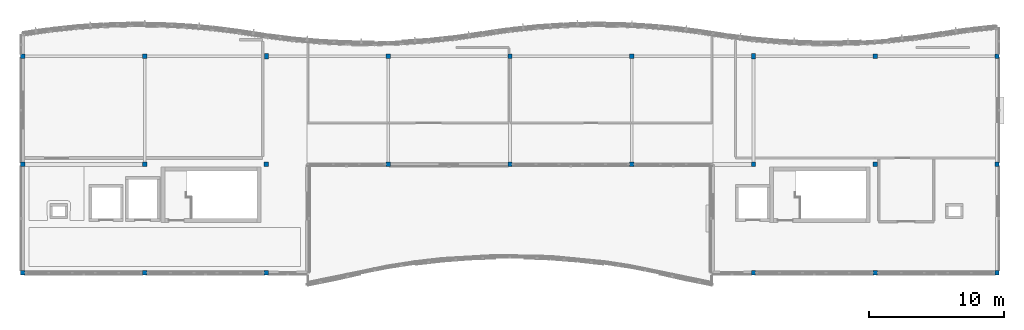
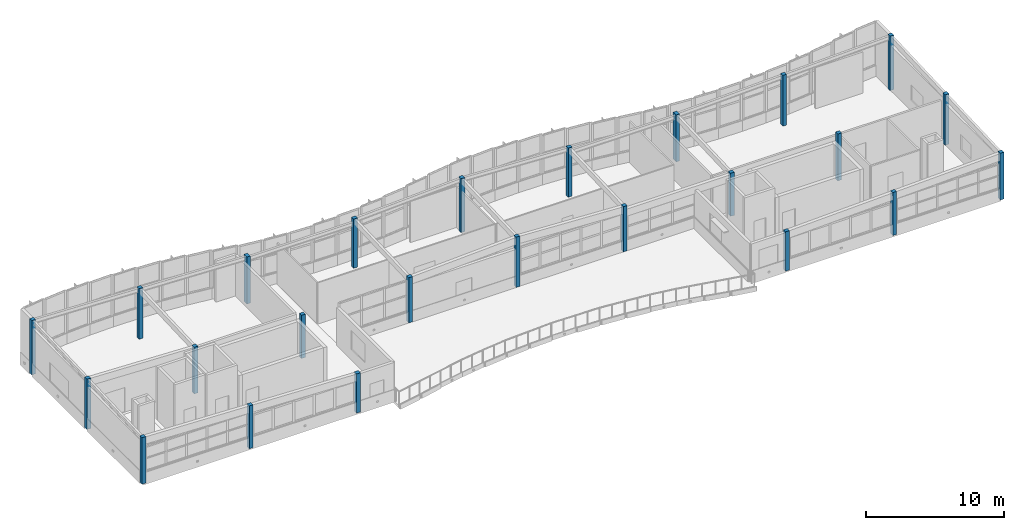
# One storey, part 1 of 20: 24 columns.
"""IFC4 building model written with IfcOpenShell, lengths in metres."""

from ifc_helpers import new_model, si_unit, direction, frame, origin, origin_2d, place, context, subcontext, project, spatial, rectangle, extrude, material, material_profile, profile_set, type_object, element, save


model = new_model("IFC4")

# Units and contexts
model_context = context("Model", 3, precision=1e-05, world=origin(), true_north=direction((0.0, 1.0)))
body_context = subcontext(model_context, "Body", "Model", "MODEL_VIEW")
ifc_project = project(units=[si_unit("LENGTHUNIT", "METRE"), si_unit("AREAUNIT", "SQUARE_METRE"), si_unit("VOLUMEUNIT", "CUBIC_METRE"), si_unit("PLANEANGLEUNIT", "RADIAN"), si_unit("MASSUNIT", "GRAM", prefix="KILO")], contexts=[model_context])

# Site, building, storey
site_placement = place(None, origin())
site = spatial("IfcSite", under=ifc_project, at=site_placement, CompositionType="ELEMENT")
building_placement = place(site_placement, origin())
building = spatial("IfcBuilding", under=site, at=building_placement, Name="Tonlespit Floodbar School", CompositionType="ELEMENT")
storey_placement = place(building_placement, frame((0.0, 0.0, 20.10009765625)))
storey = spatial("IfcBuildingStorey", under=building, at=storey_placement, Name="L05", CompositionType="ELEMENT", Elevation=20.10009765625)

# Columns
ifc_material = material(Name="Glulam GL28h", Category="wood")
ifc_material_profile_1 = material_profile(ifc_material, rectangle(XDim=0.320068359375, YDim=0.320068359375, at=origin_2d()), Name="GL 320x320")
ifc_profile_set_1 = profile_set([ifc_material_profile_1], Name="Glulam GL28h")
column_type_1 = type_object("IfcColumnType", Name="Column_GL_320x320", PredefinedType="COLUMN", material=ifc_profile_set_1)
column_1_placement = place(storey_placement, frame((44.0, 104.0, 0.0), z_axis=(0.0, 0.0, 1.0), x_axis=(1.0, 0.0, 0.0)))
element("IfcColumn", 1, at=column_1_placement, inside=storey, type_object=column_type_1, Name="L05 column U06/V15", PredefinedType="COLUMN", context=body_context, shape_type="SweptSolid", body=[
    extrude(rectangle(XDim=0.320068359375, YDim=0.320068359375, at=origin_2d()), origin(), (0.0, 0.0, 1.0), 4.122802734375),
])
column_2_placement = place(storey_placement, frame((44.0, 112.0, 0.0), z_axis=(0.0, 0.0, 1.0), x_axis=(1.0, 0.0, 0.0)))
element("IfcColumn", 2, at=column_2_placement, inside=storey, type_object=column_type_1, Name="L05 column U06/V16", PredefinedType="COLUMN", context=body_context, shape_type="SweptSolid", body=[
    extrude(rectangle(XDim=0.320068359375, YDim=0.320068359375, at=origin_2d()), origin(), (0.0, 0.0, 1.0), 4.468017578125),
])
column_3_placement = place(storey_placement, frame((44.0, 120.0, 0.0), z_axis=(0.0, 0.0, 1.0), x_axis=(1.0, 0.0, 0.0)))
element("IfcColumn", 3, at=column_3_placement, inside=storey, type_object=column_type_1, Name="L05 column U06/V17", PredefinedType="COLUMN", context=body_context, shape_type="SweptSolid", body=[
    extrude(rectangle(XDim=0.320068359375, YDim=0.320068359375, at=origin_2d()), origin(), (0.0, 0.0, 1.0), 4.8134765625),
])
column_4_placement = place(storey_placement, frame((53.0, 104.0, 0.0), z_axis=(0.0, 0.0, 1.0), x_axis=(1.0, 0.0, 0.0)))
element("IfcColumn", 4, at=column_4_placement, inside=storey, type_object=column_type_1, Name="L05 column U07/V15", PredefinedType="COLUMN", context=body_context, shape_type="SweptSolid", body=[
    extrude(rectangle(XDim=0.320068359375, YDim=0.320068359375, at=origin_2d()), origin(), (0.0, 0.0, 1.0), 3.80078125),
])
column_5_placement = place(storey_placement, frame((53.0, 112.0, 0.0), z_axis=(0.0, 0.0, 1.0), x_axis=(1.0, 0.0, 0.0)))
element("IfcColumn", 5, at=column_5_placement, inside=storey, type_object=column_type_1, Name="L05 column U07/V16", PredefinedType="COLUMN", context=body_context, shape_type="SweptSolid", body=[
    extrude(rectangle(XDim=0.320068359375, YDim=0.320068359375, at=origin_2d()), origin(), (0.0, 0.0, 1.0), 4.14599609375),
])
column_6_placement = place(storey_placement, frame((53.0, 120.0, 0.0), z_axis=(0.0, 0.0, 1.0), x_axis=(1.0, 0.0, 0.0)))
element("IfcColumn", 6, at=column_6_placement, inside=storey, type_object=column_type_1, Name="L05 column U07/V17", PredefinedType="COLUMN", context=body_context, shape_type="SweptSolid", body=[
    extrude(rectangle(XDim=0.320068359375, YDim=0.320068359375, at=origin_2d()), origin(), (0.0, 0.0, 1.0), 4.491455078125),
])
column_7_placement = place(storey_placement, frame((62.0, 104.0, 0.0), z_axis=(0.0, 0.0, 1.0), x_axis=(1.0, 0.0, 0.0)))
element("IfcColumn", 7, at=column_7_placement, inside=storey, type_object=column_type_1, Name="L05 column U08/V15", PredefinedType="COLUMN", context=body_context, shape_type="SweptSolid", body=[
    extrude(rectangle(XDim=0.320068359375, YDim=0.320068359375, at=origin_2d()), origin(), (0.0, 0.0, 1.0), 3.478759765625),
])
column_8_placement = place(storey_placement, frame((62.0, 112.0, 0.0), z_axis=(0.0, 0.0, 1.0), x_axis=(1.0, 0.0, 0.0)))
element("IfcColumn", 8, at=column_8_placement, inside=storey, type_object=column_type_1, Name="L05 column U08/V16", PredefinedType="COLUMN", context=body_context, shape_type="SweptSolid", body=[
    extrude(rectangle(XDim=0.320068359375, YDim=0.320068359375, at=origin_2d()), origin(), (0.0, 0.0, 1.0), 3.82421875),
])
column_9_placement = place(storey_placement, frame((71.0, 112.0, 0.0), z_axis=(0.0, 0.0, 1.0), x_axis=(1.0, 0.0, 0.0)))
element("IfcColumn", 9, at=column_9_placement, inside=storey, type_object=column_type_1, Name="L05 column U09/V16", PredefinedType="COLUMN", context=body_context, shape_type="SweptSolid", body=[
    extrude(rectangle(XDim=0.320068359375, YDim=0.320068359375, at=origin_2d()), origin(), (0.0, 0.0, 1.0), 4.0126953125),
])
column_10_placement = place(storey_placement, frame((71.0, 120.0, 0.0), z_axis=(0.0, 0.0, 1.0), x_axis=(1.0, 0.0, 0.0)))
element("IfcColumn", 10, at=column_10_placement, inside=storey, type_object=column_type_1, Name="L05 column U09/V17", PredefinedType="COLUMN", context=body_context, shape_type="SweptSolid", body=[
    extrude(rectangle(XDim=0.320068359375, YDim=0.320068359375, at=origin_2d()), origin(), (0.0, 0.0, 1.0), 4.35791015625),
])
column_11_placement = place(storey_placement, frame((80.0, 112.0, 0.0), z_axis=(0.0, 0.0, 1.0), x_axis=(1.0, 0.0, 0.0)))
element("IfcColumn", 11, at=column_11_placement, inside=storey, type_object=column_type_1, Name="L05 column U10/V16", PredefinedType="COLUMN", context=body_context, shape_type="SweptSolid", body=[
    extrude(rectangle(XDim=0.320068359375, YDim=0.320068359375, at=origin_2d()), origin(), (0.0, 0.0, 1.0), 4.456787109375),
])
column_12_placement = place(storey_placement, frame((80.0, 120.0, 0.0), z_axis=(0.0, 0.0, 1.0), x_axis=(1.0, 0.0, 0.0)))
element("IfcColumn", 12, at=column_12_placement, inside=storey, type_object=column_type_1, Name="L05 column U10/V17", PredefinedType="COLUMN", context=body_context, shape_type="SweptSolid", body=[
    extrude(rectangle(XDim=0.320068359375, YDim=0.320068359375, at=origin_2d()), origin(), (0.0, 0.0, 1.0), 4.802001953125),
])
column_13_placement = place(storey_placement, frame((89.0, 112.0, 0.0), z_axis=(0.0, 0.0, 1.0), x_axis=(1.0, 0.0, 0.0)))
element("IfcColumn", 13, at=column_13_placement, inside=storey, type_object=column_type_1, Name="L05 column U11/V16", PredefinedType="COLUMN", context=body_context, shape_type="SweptSolid", body=[
    extrude(rectangle(XDim=0.320068359375, YDim=0.320068359375, at=origin_2d()), origin(), (0.0, 0.0, 1.0), 4.0126953125),
])
column_14_placement = place(storey_placement, frame((89.0, 120.0, 0.0), z_axis=(0.0, 0.0, 1.0), x_axis=(1.0, 0.0, 0.0)))
element("IfcColumn", 14, at=column_14_placement, inside=storey, type_object=column_type_1, Name="L05 column U11/V17", PredefinedType="COLUMN", context=body_context, shape_type="SweptSolid", body=[
    extrude(rectangle(XDim=0.320068359375, YDim=0.320068359375, at=origin_2d()), origin(), (0.0, 0.0, 1.0), 4.35791015625),
])
column_15_placement = place(storey_placement, frame((98.0, 104.0, 0.0), z_axis=(0.0, 0.0, 1.0), x_axis=(1.0, 0.0, 0.0)))
element("IfcColumn", 15, at=column_15_placement, inside=storey, type_object=column_type_1, Name="L05 column U12/V15", PredefinedType="COLUMN", context=body_context, shape_type="SweptSolid", body=[
    extrude(rectangle(XDim=0.320068359375, YDim=0.320068359375, at=origin_2d()), origin(), (0.0, 0.0, 1.0), 3.481689453125),
])
column_16_placement = place(storey_placement, frame((98.0, 112.0, 0.0), z_axis=(0.0, 0.0, 1.0), x_axis=(1.0, 0.0, 0.0)))
element("IfcColumn", 16, at=column_16_placement, inside=storey, type_object=column_type_1, Name="L05 column U12/V16", PredefinedType="COLUMN", context=body_context, shape_type="SweptSolid", body=[
    extrude(rectangle(XDim=0.320068359375, YDim=0.320068359375, at=origin_2d()), origin(), (0.0, 0.0, 1.0), 3.826904296875),
])
column_17_placement = place(storey_placement, frame((107.0, 104.0, 0.0), z_axis=(0.0, 0.0, 1.0), x_axis=(1.0, 0.0, 0.0)))
element("IfcColumn", 17, at=column_17_placement, inside=storey, type_object=column_type_1, Name="L05 column U13/V15", PredefinedType="COLUMN", context=body_context, shape_type="SweptSolid", body=[
    extrude(rectangle(XDim=0.320068359375, YDim=0.320068359375, at=origin_2d()), origin(), (0.0, 0.0, 1.0), 3.81201171875),
])
column_18_placement = place(storey_placement, frame((107.0, 112.0, 0.0), z_axis=(0.0, 0.0, 1.0), x_axis=(1.0, 0.0, 0.0)))
element("IfcColumn", 18, at=column_18_placement, inside=storey, type_object=column_type_1, Name="L05 column U13/V16", PredefinedType="COLUMN", context=body_context, shape_type="SweptSolid", body=[
    extrude(rectangle(XDim=0.320068359375, YDim=0.320068359375, at=origin_2d()), origin(), (0.0, 0.0, 1.0), 4.156982421875),
])
column_19_placement = place(storey_placement, frame((107.0, 120.0, 0.0), z_axis=(0.0, 0.0, 1.0), x_axis=(1.0, 0.0, 0.0)))
element("IfcColumn", 19, at=column_19_placement, inside=storey, type_object=column_type_1, Name="L05 column U13/V17", PredefinedType="COLUMN", context=body_context, shape_type="SweptSolid", body=[
    extrude(rectangle(XDim=0.320068359375, YDim=0.320068359375, at=origin_2d()), origin(), (0.0, 0.0, 1.0), 4.50244140625),
])
column_20_placement = place(storey_placement, frame((116.0, 104.0, 0.0), z_axis=(0.0, 0.0, 1.0), x_axis=(1.0, 0.0, 0.0)))
element("IfcColumn", 20, at=column_20_placement, inside=storey, type_object=column_type_1, Name="L05 column U14/V15", PredefinedType="COLUMN", context=body_context, shape_type="SweptSolid", body=[
    extrude(rectangle(XDim=0.320068359375, YDim=0.320068359375, at=origin_2d()), origin(), (0.0, 0.0, 1.0), 4.14208984375),
])
column_21_placement = place(storey_placement, frame((116.0, 112.0, 0.0), z_axis=(0.0, 0.0, 1.0), x_axis=(1.0, 0.0, 0.0)))
element("IfcColumn", 21, at=column_21_placement, inside=storey, type_object=column_type_1, Name="L05 column U14/V16", PredefinedType="COLUMN", context=body_context, shape_type="SweptSolid", body=[
    extrude(rectangle(XDim=0.320068359375, YDim=0.320068359375, at=origin_2d()), origin(), (0.0, 0.0, 1.0), 4.4873046875),
])
column_22_placement = place(storey_placement, frame((116.0, 120.0, 0.0), z_axis=(0.0, 0.0, 1.0), x_axis=(1.0, 0.0, 0.0)))
element("IfcColumn", 22, at=column_22_placement, inside=storey, type_object=column_type_1, Name="L05 column U14/V17", PredefinedType="COLUMN", context=body_context, shape_type="SweptSolid", body=[
    extrude(rectangle(XDim=0.320068359375, YDim=0.320068359375, at=origin_2d()), origin(), (0.0, 0.0, 1.0), 4.83251953125),
])
ifc_material_profile_2 = material_profile(ifc_material, rectangle(XDim=0.280029296875, YDim=0.419921875, at=origin_2d()), Name="GL 280x420")
ifc_profile_set_2 = profile_set([ifc_material_profile_2], Name="Glulam GL28h")
column_type_2 = type_object("IfcColumnType", Name="Pilaster_GL_280x420", PredefinedType="PILASTER", material=ifc_profile_set_2)
column_23_placement = place(storey_placement, frame((62.0, 120.0, 0.0), z_axis=(0.0, 0.0, 1.0), x_axis=(1.0, 0.0, 0.0)))
element("IfcColumn", 23, at=column_23_placement, inside=storey, type_object=column_type_2, Name="L05 column U08/V17", PredefinedType="PILASTER", context=body_context, shape_type="SweptSolid", body=[
    extrude(rectangle(XDim=0.280029296875, YDim=0.419921875, at=origin_2d()), origin(), (0.0, 0.0, 1.0), 4.169189453125),
])
column_24_placement = place(storey_placement, frame((98.0, 120.0, 0.0), z_axis=(0.0, 0.0, 1.0), x_axis=(1.0, 0.0, 0.0)))
element("IfcColumn", 24, at=column_24_placement, inside=storey, type_object=column_type_2, Name="L05 column U12/V17", PredefinedType="PILASTER", context=body_context, shape_type="SweptSolid", body=[
    extrude(rectangle(XDim=0.280029296875, YDim=0.419921875, at=origin_2d()), origin(), (0.0, 0.0, 1.0), 4.172119140625),
])

save(model, "model.ifc")
